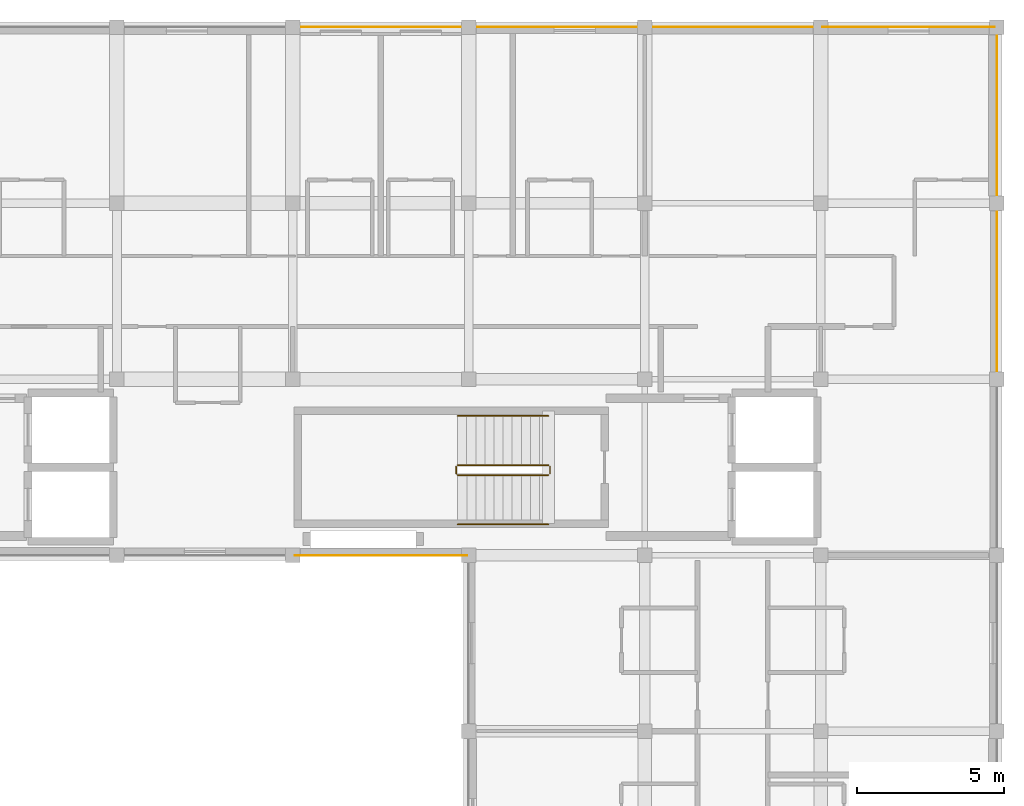
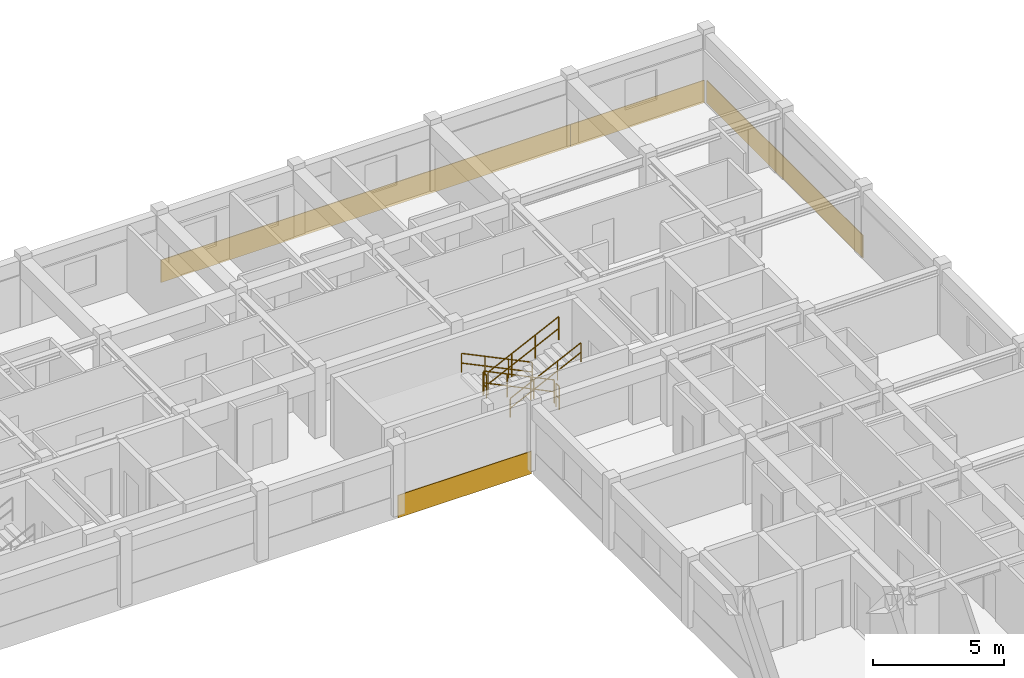
# One storey, part 15 of 15: 6 railings, 4 coverings.
"""IFC4 building model written with IfcOpenShell, lengths in metres."""

from ifc_helpers import new_model, si_unit, direction, frame, origin, origin_2d, place, context, subcontext, project, spatial, polyline, circle, outline, extrude, material, layer, layer_set, type_object, element, save


model = new_model("IFC4")

# Units and contexts
model_context = context("Model", 3, precision=1e-05, world=origin(), true_north=direction((0.0, 1.0)))
body_context = subcontext(model_context, "Body", "Model", "MODEL_VIEW")
ifc_project = project(units=[si_unit("LENGTHUNIT", "METRE"), si_unit("AREAUNIT", "SQUARE_METRE"), si_unit("VOLUMEUNIT", "CUBIC_METRE"), si_unit("PLANEANGLEUNIT", "RADIAN"), si_unit("MASSUNIT", "GRAM", prefix="KILO"), si_unit("THERMODYNAMICTEMPERATUREUNIT", "KELVIN"), si_unit("POWERUNIT", "WATT")], contexts=[model_context])

# Site, building, storey
site_placement = place(None, origin())
site = spatial("IfcSite", under=ifc_project, at=site_placement, CompositionType="ELEMENT")
building_placement = place(site_placement, origin())
building = spatial("IfcBuilding", under=site, at=building_placement, Name="Phaisarnlok Congress Hotel", CompositionType="ELEMENT")
storey_placement = place(building_placement, frame((0.0, 0.0, 38.10009765625)))
storey = spatial("IfcBuildingStorey", under=building, at=storey_placement, Name="L09", CompositionType="ELEMENT", Elevation=38.10009765625)

# Coverings
ifc_material_1 = material(Name="Anodised Silver Aluminium Alloy 6063-T6", Category="aluminium")
ifc_layer = layer(ifc_material_1, 0.031982421875, Name="Anodised Silver Aluminium Alloy 6063-T6")
ifc_layer_set = layer_set([ifc_layer], Name="Anodised Silver Aluminium Alloy 6063-T6")
covering_type = type_object("IfcCoveringType", Name="COV-SPAND-ALU", PredefinedType="CLADDING", material=ifc_layer_set)
covering_1_placement = place(storey_placement, frame((174.06005859375, 125.9951171875, -0.280029296875), z_axis=(0.0, 1.0, 0.0), x_axis=(-1.0, 0.0, 0.0)))
element("IfcCovering", 1, at=covering_1_placement, inside=storey, type_object=covering_type, Name="Swiss minimalist anodised silver rainscreen band CL-02 (L09 N)", PredefinedType="CLADDING", context=body_context, shape_type="SweptSolid", body=[
    extrude(outline(polyline([(0.0, 0.0), (18.0, 0.0), (18.0, 1.050048828125), (0.0, 1.050048828125), (0.0, 0.0)])), origin(), (0.0, 0.0, 1.0), 0.031982421875),
])
covering_2_placement = place(storey_placement, frame((179.93994140625, 125.9951171875, -0.280029296875), z_axis=(0.0, 1.0, 0.0), x_axis=(-1.0, 0.0, 0.0)))
element("IfcCovering", 2, at=covering_2_placement, inside=storey, type_object=covering_type, Name="Swiss minimalist anodised silver rainscreen band CL-02 (L09 N)", PredefinedType="CLADDING", context=body_context, shape_type="SweptSolid", body=[
    extrude(outline(polyline([(0.0, 0.0), (5.8798828125, 0.0), (5.8798828125, 1.050048828125), (0.0, 1.050048828125), (0.0, 0.0)])), origin(), (0.0, 0.0, 1.0), 0.031982421875),
])
covering_3_placement = place(storey_placement, frame((179.9951171875, 114.06005859375, -0.280029296875), z_axis=(1.0, 0.0, 0.0), x_axis=(0.0, 1.0, 0.0)))
element("IfcCovering", 3, at=covering_3_placement, inside=storey, type_object=covering_type, Name="Swiss minimalist anodised silver rainscreen band CL-02 (L09 E)", PredefinedType="CLADDING", context=body_context, shape_type="SweptSolid", body=[
    extrude(outline(polyline([(0.0, 0.0), (11.8798828125, 0.0), (11.8798828125, 1.050048828125), (0.0, 1.050048828125), (0.0, 0.0)])), origin(), (0.0, 0.0, 1.0), 0.031982421875),
])
covering_4_placement = place(storey_placement, frame((156.06005859375, 108.0048828125, -0.280029296875), z_axis=(0.0, -1.0, 0.0), x_axis=(1.0, 0.0, 0.0)))
element("IfcCovering", 4, at=covering_4_placement, inside=storey, type_object=covering_type, Name="Swiss minimalist anodised silver rainscreen band CL-02 (L09 S)", PredefinedType="CLADDING", context=body_context, shape_type="SweptSolid", body=[
    extrude(outline(polyline([(0.0, 0.0), (5.8798828125, 0.0), (5.8798828125, 1.050048828125), (0.0, 1.050048828125), (0.0, 0.0)])), origin(), (0.0, 0.0, 1.0), 0.031982421875),
])

# Railings
ifc_material_2 = material(Name="Painted Galvanised Steel S275", Category="steel")
railing_type_1 = type_object("IfcRailingType", Name="RLG-STR-GUARD", PredefinedType="BALUSTRADE", material=ifc_material_2)
railing_1_placement = place(storey_placement, frame((164.719970703125, 111.070068359375, 0.14990234375)))
element("IfcRailing", 5, at=railing_1_placement, inside=storey, type_object=railing_type_1, Name="L09 ST-05 stair guard 1", PredefinedType="BALUSTRADE", context=body_context, shape_type="SweptSolid", body=[
    extrude(circle(Radius=0.02392578125, at=origin_2d()), frame((0.0, 0.0, 1.076171875), z_axis=(-0.900151181449, 0.0, 0.435577605641), x_axis=(0.0, -1.0, 0.0)), (0.0, 0.0, 1.0), 3.443603515625),
    extrude(circle(Radius=0.02392578125, at=origin_2d()), frame((0.0, 0.0, 0.52587890625), z_axis=(-0.900151181449, 0.0, 0.435577605641), x_axis=(0.0, -1.0, 0.0)), (0.0, 0.0, 1.0), 3.443603515625),
    extrude(circle(Radius=0.02099609375, at=origin_2d()), origin(), (0.0, 0.0, 1.0), 1.052001953125),
    extrude(circle(Radius=0.02099609375, at=origin_2d()), frame((-1.033203125, 0.0, 0.5)), (0.0, 0.0, 1.0), 1.052001953125),
    extrude(circle(Radius=0.02099609375, at=origin_2d()), frame((-2.066650390625, 0.0, 1.0)), (0.0, 0.0, 1.0), 1.052001953125),
    extrude(circle(Radius=0.02099609375, at=origin_2d()), frame((-3.099853515625, 0.0, 1.5)), (0.0, 0.0, 1.0), 1.052001953125),
])
railing_2_placement = place(storey_placement, frame((161.570068359375, 111.02001953125, 1.64990234375)))
element("IfcRailing", 6, at=railing_2_placement, inside=storey, type_object=railing_type_1, Name="L09 ST-05 stair guard 2", PredefinedType="BALUSTRADE", context=body_context, shape_type="SweptSolid", body=[
    extrude(circle(Radius=0.02392578125, at=origin_2d()), frame((0.0, 0.0, 1.076171875), z_axis=(0.0, -1.0, 0.0), x_axis=(1.0, 0.0, 0.0)), (0.0, 0.0, 1.0), 0.239990234375),
    extrude(circle(Radius=0.02392578125, at=origin_2d()), frame((0.0, 0.0, 0.52587890625), z_axis=(0.0, -1.0, 0.0), x_axis=(1.0, 0.0, 0.0)), (0.0, 0.0, 1.0), 0.239990234375),
    extrude(circle(Radius=0.02099609375, at=origin_2d()), origin(), (0.0, 0.0, 1.0), 1.052001953125),
    extrude(circle(Radius=0.02099609375, at=origin_2d()), frame((0.0, -0.239990234375, 0.0)), (0.0, 0.0, 1.0), 1.052001953125),
])
railing_3_placement = place(storey_placement, frame((161.6201171875, 110.72998046875, 1.7998046875)))
element("IfcRailing", 7, at=railing_3_placement, inside=storey, type_object=railing_type_1, Name="L09 ST-05 stair guard 3", PredefinedType="BALUSTRADE", context=body_context, shape_type="SweptSolid", body=[
    extrude(circle(Radius=0.02392578125, at=origin_2d()), frame((0.0, 0.0, 1.076171875), z_axis=(0.900151181449, 0.0, 0.435577605641), x_axis=(0.0, 1.0, 0.0)), (0.0, 0.0, 1.0), 3.443603515625),
    extrude(circle(Radius=0.02392578125, at=origin_2d()), frame((0.0, 0.0, 0.52587890625), z_axis=(0.900151181449, 0.0, 0.435577605641), x_axis=(0.0, 1.0, 0.0)), (0.0, 0.0, 1.0), 3.443603515625),
    extrude(circle(Radius=0.02099609375, at=origin_2d()), origin(), (0.0, 0.0, 1.0), 1.052001953125),
    extrude(circle(Radius=0.02099609375, at=origin_2d()), frame((1.033203125, 0.0, 0.5)), (0.0, 0.0, 1.0), 1.052001953125),
    extrude(circle(Radius=0.02099609375, at=origin_2d()), frame((2.066650390625, 0.0, 1.0)), (0.0, 0.0, 1.0), 1.052001953125),
    extrude(circle(Radius=0.02099609375, at=origin_2d()), frame((3.099853515625, 0.0, 1.5)), (0.0, 0.0, 1.0), 1.052001953125),
])
railing_4_placement = place(storey_placement, frame((164.77001953125, 111.02001953125, 0.0)))
element("IfcRailing", 8, at=railing_4_placement, inside=storey, type_object=railing_type_1, Name="L09 ST-05 stair guard 4", PredefinedType="BALUSTRADE", context=body_context, shape_type="SweptSolid", body=[
    extrude(circle(Radius=0.02392578125, at=origin_2d()), frame((0.0, 0.0, 1.076171875), z_axis=(0.0, -1.0, 0.0), x_axis=(1.0, 0.0, 0.0)), (0.0, 0.0, 1.0), 0.239990234375),
    extrude(circle(Radius=0.02392578125, at=origin_2d()), frame((0.0, 0.0, 0.52587890625), z_axis=(0.0, -1.0, 0.0), x_axis=(1.0, 0.0, 0.0)), (0.0, 0.0, 1.0), 0.239990234375),
    extrude(circle(Radius=0.02099609375, at=origin_2d()), origin(), (0.0, 0.0, 1.0), 1.052001953125),
    extrude(circle(Radius=0.02099609375, at=origin_2d()), frame((0.0, -0.239990234375, 0.0)), (0.0, 0.0, 1.0), 1.052001953125),
])
ifc_material_3 = material(Name="Brushed Stainless Steel Grade 304", Category="steel")
railing_type_2 = type_object("IfcRailingType", Name="RLG-STR-HRAIL", PredefinedType="HANDRAIL", material=ifc_material_3)
railing_5_placement = place(storey_placement, frame((164.719970703125, 112.75, 0.14990234375)))
element("IfcRailing", 9, at=railing_5_placement, inside=storey, type_object=railing_type_2, Name="L09 ST-05 stair handrail 1", PredefinedType="HANDRAIL", context=body_context, shape_type="SweptSolid", body=[
    extrude(circle(Radius=0.02392578125, at=origin_2d()), frame((0.0, 0.0, 0.8759765625), z_axis=(-0.900151181449, 0.0, 0.435577605641), x_axis=(0.0, -1.0, 0.0)), (0.0, 0.0, 1.0), 3.443603515625),
    extrude(circle(Radius=0.02392578125, at=origin_2d()), frame((0.0, 0.0, 0.42578125), z_axis=(-0.900151181449, 0.0, 0.435577605641), x_axis=(0.0, -1.0, 0.0)), (0.0, 0.0, 1.0), 3.443603515625),
    extrude(circle(Radius=0.02099609375, at=origin_2d()), origin(), (0.0, 0.0, 1.0), 0.851806640625),
    extrude(circle(Radius=0.02099609375, at=origin_2d()), frame((-1.033203125, 0.0, 0.5)), (0.0, 0.0, 1.0), 0.851806640625),
    extrude(circle(Radius=0.02099609375, at=origin_2d()), frame((-2.066650390625, 0.0, 1.0)), (0.0, 0.0, 1.0), 0.851806640625),
    extrude(circle(Radius=0.02099609375, at=origin_2d()), frame((-3.099853515625, 0.0, 1.5)), (0.0, 0.0, 1.0), 0.851806640625),
])
railing_6_placement = place(storey_placement, frame((161.6201171875, 109.050048828125, 1.7998046875)))
element("IfcRailing", 10, at=railing_6_placement, inside=storey, type_object=railing_type_2, Name="L09 ST-05 stair handrail 2", PredefinedType="HANDRAIL", context=body_context, shape_type="SweptSolid", body=[
    extrude(circle(Radius=0.02392578125, at=origin_2d()), frame((0.0, 0.0, 0.8759765625), z_axis=(0.900151181449, 0.0, 0.435577605641), x_axis=(0.0, 1.0, 0.0)), (0.0, 0.0, 1.0), 3.443603515625),
    extrude(circle(Radius=0.02392578125, at=origin_2d()), frame((0.0, 0.0, 0.42578125), z_axis=(0.900151181449, 0.0, 0.435577605641), x_axis=(0.0, 1.0, 0.0)), (0.0, 0.0, 1.0), 3.443603515625),
    extrude(circle(Radius=0.02099609375, at=origin_2d()), origin(), (0.0, 0.0, 1.0), 0.851806640625),
    extrude(circle(Radius=0.02099609375, at=origin_2d()), frame((1.033203125, 0.0, 0.5)), (0.0, 0.0, 1.0), 0.851806640625),
    extrude(circle(Radius=0.02099609375, at=origin_2d()), frame((2.066650390625, 0.0, 1.0)), (0.0, 0.0, 1.0), 0.851806640625),
    extrude(circle(Radius=0.02099609375, at=origin_2d()), frame((3.099853515625, 0.0, 1.5)), (0.0, 0.0, 1.0), 0.851806640625),
])

save(model, "model.ifc")
